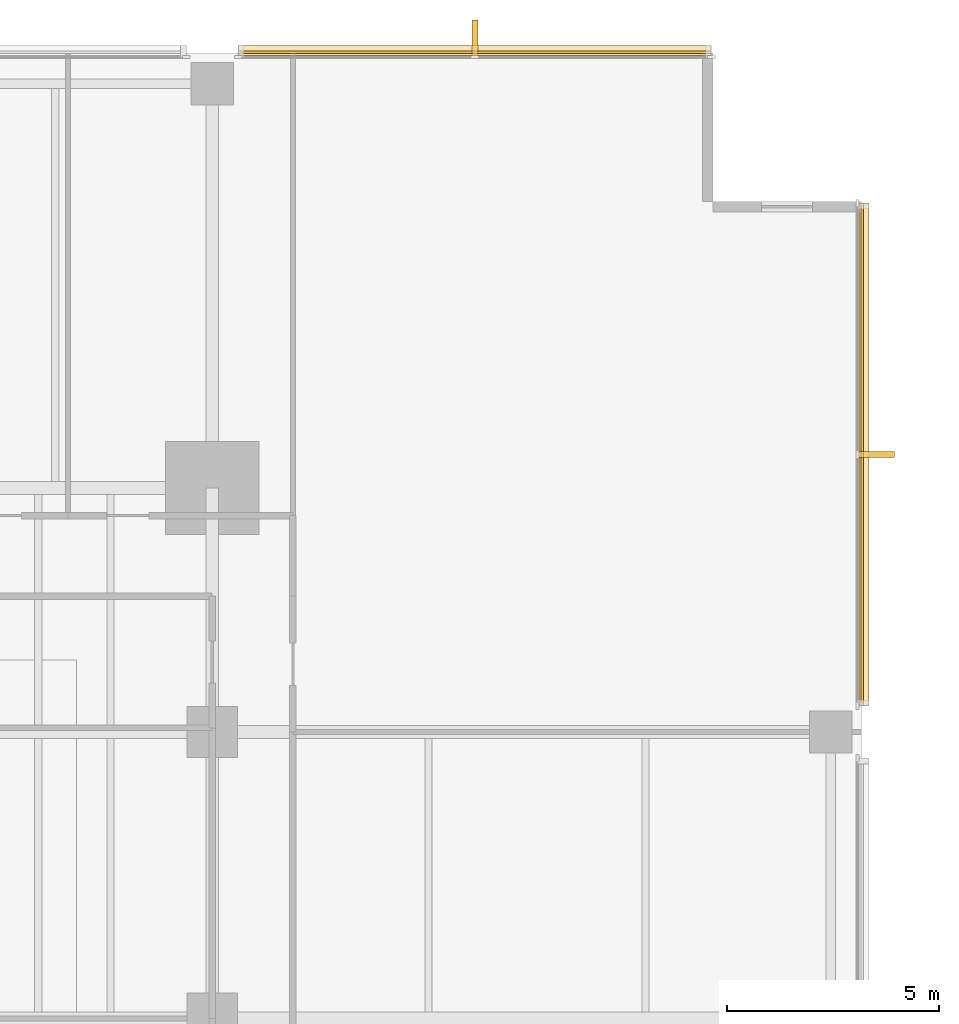
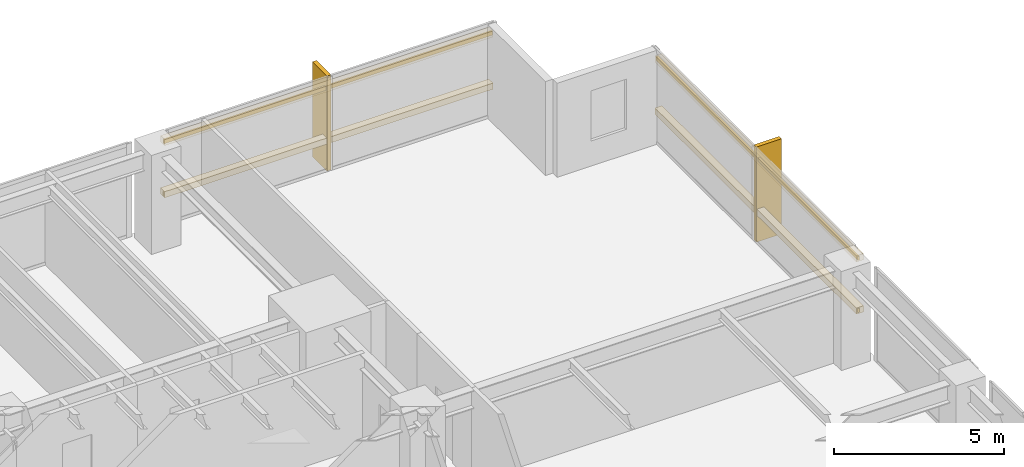
# One storey, part 15 of 15: 6 coverings, 4 shading devices.
"""IFC4 building model written with IfcOpenShell, lengths in metres."""

from ifc_helpers import new_model, si_unit, direction, frame, origin, origin_2d, place, context, subcontext, project, spatial, polyline, rectangle, outline, extrude, material, layer, layer_set, material_profile, profile_set, type_object, element, save


model = new_model("IFC4")

# Units and contexts
model_context = context("Model", 3, precision=1e-05, world=origin(), true_north=direction((0.0, 1.0)))
body_context = subcontext(model_context, "Body", "Model", "MODEL_VIEW")
ifc_project = project(units=[si_unit("LENGTHUNIT", "METRE"), si_unit("AREAUNIT", "SQUARE_METRE"), si_unit("VOLUMEUNIT", "CUBIC_METRE"), si_unit("PLANEANGLEUNIT", "RADIAN"), si_unit("MASSUNIT", "GRAM", prefix="KILO")], contexts=[model_context])

# Site, building, storey
site_placement = place(None, origin())
site = spatial("IfcSite", under=ifc_project, at=site_placement, CompositionType="ELEMENT")
building_placement = place(site_placement, origin())
building = spatial("IfcBuilding", under=site, at=building_placement, Name="Kinhvarn Gate Tower", CompositionType="ELEMENT")
storey_placement = place(building_placement, frame((0.0, 0.0, 50.449951171875)))
storey = spatial("IfcBuildingStorey", under=building, at=storey_placement, Name="L12", CompositionType="ELEMENT", Elevation=50.449951171875)

# Coverings
ifc_material = material(Name="Fired architectural terracotta", Category="masonry")
ifc_layer_1 = layer(ifc_material, 0.239990234375)
ifc_layer_set_1 = layer_set([ifc_layer_1], Name="Fired architectural terracotta")
covering_type_1 = type_object("IfcCoveringType", Name="COV-BAG-220", PredefinedType="CLADDING", material=ifc_layer_set_1)
covering_1_placement = place(storey_placement, frame((0.0, 0.0, 0.93994140625)))
element("IfcCovering", 1, at=covering_1_placement, inside=storey, type_object=covering_type_1, Name="Terracotta Horizontal Sunscreen Band TBG-220 (L12)", PredefinedType="CLADDING", context=body_context, shape_type="SweptSolid", body=[
    extrude(outline(polyline([(49.9599609375, 47.93994140625), (38.820068359375, 47.93994140625), (38.820068359375, 48.179931640625), (49.9599609375, 48.179931640625), (49.9599609375, 47.93994140625)])), origin(), (0.0, 0.0, 1.0), 0.22021484375),
])
covering_2_placement = place(storey_placement, frame((0.0, 0.0, 2.81005859375)))
element("IfcCovering", 2, at=covering_2_placement, inside=storey, type_object=covering_type_1, Name="Terracotta Horizontal Sunscreen Band TBG-220 (L12)", PredefinedType="CLADDING", context=body_context, shape_type="SweptSolid", body=[
    extrude(outline(polyline([(49.9599609375, 47.93994140625), (38.820068359375, 47.93994140625), (38.820068359375, 48.179931640625), (49.9599609375, 48.179931640625), (49.9599609375, 47.93994140625)])), origin(), (0.0, 0.0, 1.0), 0.219970703125),
])
covering_3_placement = place(storey_placement, frame((0.0, 0.0, 0.93994140625)))
element("IfcCovering", 3, at=covering_3_placement, inside=storey, type_object=covering_type_1, Name="Terracotta Horizontal Sunscreen Band TBG-220 (L12)", PredefinedType="CLADDING", context=body_context, shape_type="SweptSolid", body=[
    extrude(outline(polyline([(53.43994140625, 32.6201171875), (53.43994140625, 44.4599609375), (53.679931640625, 44.4599609375), (53.679931640625, 32.6201171875), (53.43994140625, 32.6201171875)])), origin(), (0.0, 0.0, 1.0), 0.22021484375),
])
covering_4_placement = place(storey_placement, frame((0.0, 0.0, 2.81005859375)))
element("IfcCovering", 4, at=covering_4_placement, inside=storey, type_object=covering_type_1, Name="Terracotta Horizontal Sunscreen Band TBG-220 (L12)", PredefinedType="CLADDING", context=body_context, shape_type="SweptSolid", body=[
    extrude(outline(polyline([(53.43994140625, 32.6201171875), (53.43994140625, 44.4599609375), (53.679931640625, 44.4599609375), (53.679931640625, 32.6201171875), (53.43994140625, 32.6201171875)])), origin(), (0.0, 0.0, 1.0), 0.219970703125),
])
ifc_layer_2 = layer(ifc_material, 0.139892578125)
ifc_layer_set_2 = layer_set([ifc_layer_2], Name="Fired architectural terracotta")
covering_type_2 = type_object("IfcCoveringType", Name="COV-FIN-850", PredefinedType="CLADDING", material=ifc_layer_set_2)
covering_5_placement = place(storey_placement, frame((0.0, 0.0, -0.02001953125)))
element("IfcCovering", 5, at=covering_5_placement, inside=storey, type_object=covering_type_2, Name="Vertical Terracotta Expressive Fin TFN-850 (L12)", PredefinedType="CLADDING", context=body_context, shape_type="SweptSolid", body=[
    extrude(outline(polyline([(44.4599609375, 47.929931640625), (44.320068359375, 47.929931640625), (44.320068359375, 48.780029296875), (44.4599609375, 48.780029296875), (44.4599609375, 47.929931640625)])), origin(), (0.0, 0.0, 1.0), 3.41015625),
])
covering_6_placement = place(storey_placement, frame((0.0, 0.0, -0.02001953125)))
element("IfcCovering", 6, at=covering_6_placement, inside=storey, type_object=covering_type_2, Name="Vertical Terracotta Expressive Fin TFN-850 (L12)", PredefinedType="CLADDING", context=body_context, shape_type="SweptSolid", body=[
    extrude(outline(polyline([(53.429931640625, 38.469970703125), (53.429931640625, 38.610107421875), (54.280029296875, 38.610107421875), (54.280029296875, 38.469970703125), (53.429931640625, 38.469970703125)])), origin(), (0.0, 0.0, 1.0), 3.41015625),
])

# Shading devices
ifc_material_profile = material_profile(ifc_material, rectangle(XDim=0.06005859375, YDim=0.139892578125, at=origin_2d()), Name="TC 60x140")
ifc_profile_set = profile_set([ifc_material_profile], Name="Fired architectural terracotta")
shading_device_type = type_object("IfcShadingDeviceType", Name="SHD-BAG-180", PredefinedType="USERDEFINED", material=ifc_profile_set)
for number, where, z_axis, x_axis, name in (
    (7, (49.9599609375, 48.014892578125, 1.050048828125), (-1.0, 0.0, 0.0), (0.0, -1.0, 0.0), "Fired Terracotta Baguette Screen Rod 60x140 mm (L12)"),
    (8, (49.9599609375, 48.014892578125, 2.920166015625), (-1.0, 0.0, 0.0), (0.0, -1.0, 0.0), "Fired Terracotta Baguette Screen Rod 60x140 mm (L12)"),
):
    element("IfcShadingDevice", number, at=place(storey_placement, frame(where, z_axis=z_axis, x_axis=x_axis)), inside=storey, type_object=shading_device_type, Name=name, ObjectType="BAGUETTE", PredefinedType="USERDEFINED", context=body_context, shape_type="SweptSolid", body=[
        extrude(rectangle(XDim=0.06005859375, YDim=0.139892578125, at=origin_2d()), origin(), (0.0, 0.0, 1.0), 11.139892578125),
    ])
for number, where, z_axis, x_axis, name in (
    (9, (53.514892578125, 32.6201171875, 1.050048828125), (0.0, 1.0, 0.0), (-1.0, 0.0, 0.0), "Fired Terracotta Baguette Screen Rod 60x140 mm (L12)"),
    (10, (53.514892578125, 32.6201171875, 2.920166015625), (0.0, 1.0, 0.0), (-1.0, 0.0, 0.0), "Fired Terracotta Baguette Screen Rod 60x140 mm (L12)"),
):
    element("IfcShadingDevice", number, at=place(storey_placement, frame(where, z_axis=z_axis, x_axis=x_axis)), inside=storey, type_object=shading_device_type, Name=name, ObjectType="BAGUETTE", PredefinedType="USERDEFINED", context=body_context, shape_type="SweptSolid", body=[
        extrude(rectangle(XDim=0.06005859375, YDim=0.139892578125, at=origin_2d()), origin(), (0.0, 0.0, 1.0), 11.83984375),
    ])

save(model, "model.ifc")
